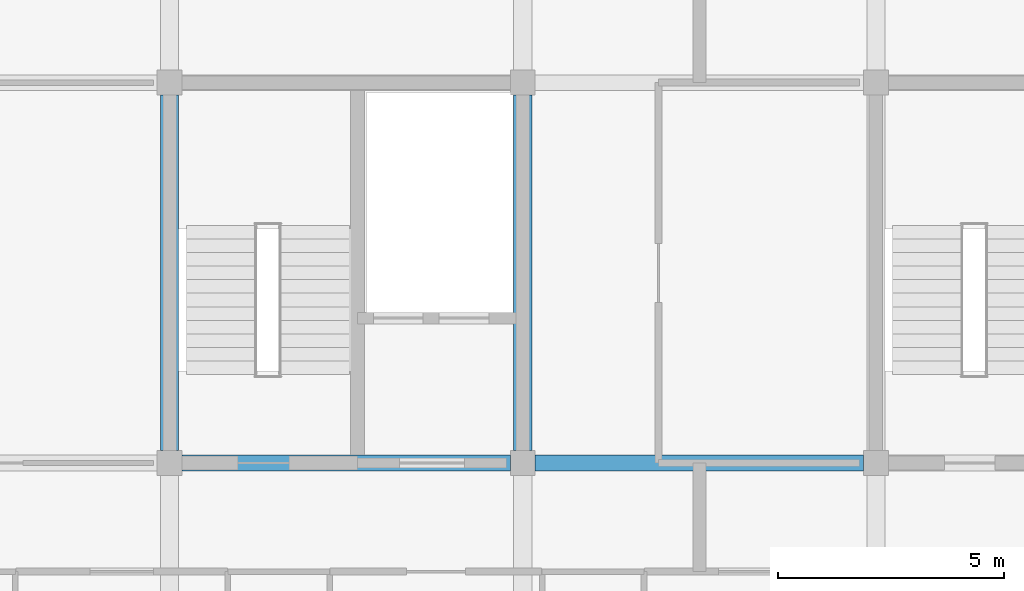
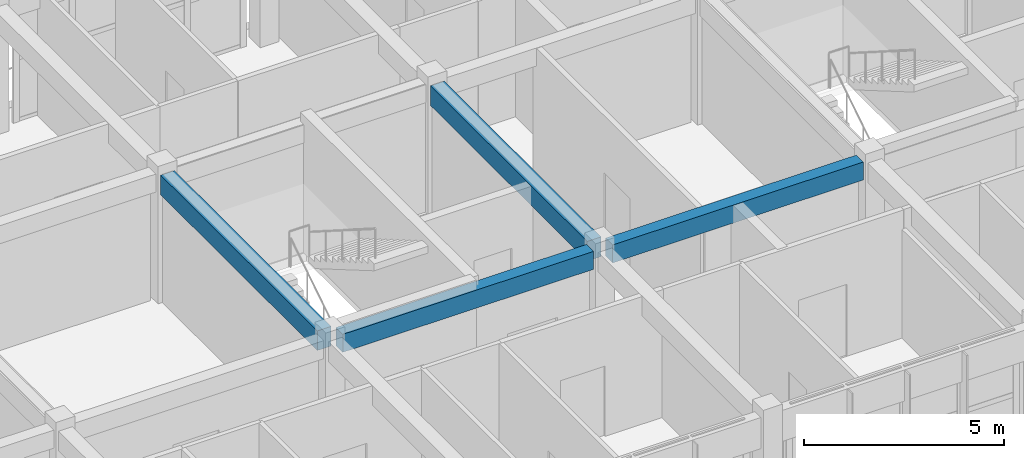
# One storey, part 12 of 44: 4 beams.
"""IFC4 building model written with IfcOpenShell, lengths in metres."""

from ifc_helpers import new_model, si_unit, direction, frame, origin, origin_2d, place, context, subcontext, project, spatial, rectangle, extrude, material, material_profile, profile_set, type_object, element, save


model = new_model("IFC4")

# Units and contexts
model_context = context("Model", 3, precision=1e-05, world=origin(), true_north=direction((0.0, 1.0)))
body_context = subcontext(model_context, "Body", "Model", "MODEL_VIEW")
ifc_project = project(units=[si_unit("LENGTHUNIT", "METRE"), si_unit("AREAUNIT", "SQUARE_METRE"), si_unit("VOLUMEUNIT", "CUBIC_METRE"), si_unit("PLANEANGLEUNIT", "RADIAN"), si_unit("MASSUNIT", "GRAM", prefix="KILO")], contexts=[model_context])

# Site, building, storey
site_placement = place(None, origin())
site = spatial("IfcSite", under=ifc_project, at=site_placement, CompositionType="ELEMENT")
building_placement = place(site_placement, origin())
building = spatial("IfcBuilding", under=site, at=building_placement, Name="Zizhar Promenade General Hospital", CompositionType="ELEMENT")
storey_placement = place(building_placement, frame((0.0, 0.0, 34.800048828125)))
storey = spatial("IfcBuildingStorey", under=building, at=storey_placement, Name="L08", CompositionType="ELEMENT", Elevation=34.800048828125)

# Beams
ifc_material_1 = material(Name="Concrete C35/45", Category="concrete")
ifc_material_profile_1 = material_profile(ifc_material_1, rectangle(XDim=0.35009765625, YDim=0.550048828125, at=origin_2d()))
ifc_profile_set_1 = profile_set([ifc_material_profile_1], Name="Concrete C35/45")
beam_type_1 = type_object("IfcBeamType", Name="BM-RC-350x550", PredefinedType="LINTEL", material=ifc_profile_set_1)
for number, where, z_axis, x_axis, name in (
    (1, (62.675048828125, 8.39990234375, 3.635009765625), (1.0, 0.0, 0.0), (0.0, 1.0, 0.0), "Grid Beam X L08 (8-1)"),
    (2, (70.47509765625, 8.39990234375, 3.635009765625), (1.0, 0.0, 0.0), (0.0, 1.0, 0.0), "Grid Beam X L08 (9-1)"),
):
    element("IfcBeam", number, at=place(storey_placement, frame(where, z_axis=z_axis, x_axis=x_axis)), inside=storey, type_object=beam_type_1, Name=name, PredefinedType="LINTEL", context=body_context, shape_type="SweptSolid", body=[
        extrude(rectangle(XDim=0.35009765625, YDim=0.550048828125, at=origin_2d()), origin(), (0.0, 0.0, 1.0), 7.25),
    ])
ifc_material_2 = material(Name="Concrete C35/45", Category="concrete")
ifc_material_profile_2 = material_profile(ifc_material_2, rectangle(XDim=0.39990234375, YDim=0.60009765625, at=origin_2d()))
ifc_profile_set_2 = profile_set([ifc_material_profile_2], Name="Concrete C35/45")
beam_type_2 = type_object("IfcBeamType", Name="BM-RC-400x600", PredefinedType="JOIST", material=ifc_profile_set_2)
for number, where, z_axis, x_axis, name in (
    (3, (62.39990234375, 8.675048828125, 3.60986328125), (0.0, 1.0, 0.0), (-1.0, 0.0, 0.0), "Grid Beam Y L08 (8-1)"),
    (4, (70.199951171875, 8.675048828125, 3.60986328125), (0.0, 1.0, 0.0), (-1.0, 0.0, 0.0), "Grid Beam Y L08 (9-1)"),
):
    element("IfcBeam", number, at=place(storey_placement, frame(where, z_axis=z_axis, x_axis=x_axis)), inside=storey, type_object=beam_type_2, Name=name, PredefinedType="JOIST", context=body_context, shape_type="SweptSolid", body=[
        extrude(rectangle(XDim=0.39990234375, YDim=0.60009765625, at=origin_2d()), origin(), (0.0, 0.0, 1.0), 7.849853515625),
    ])

save(model, "model.ifc")
